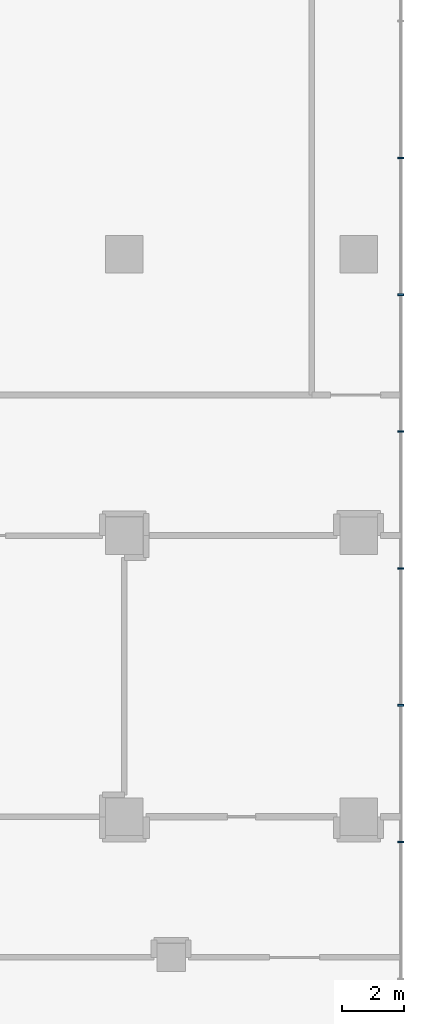
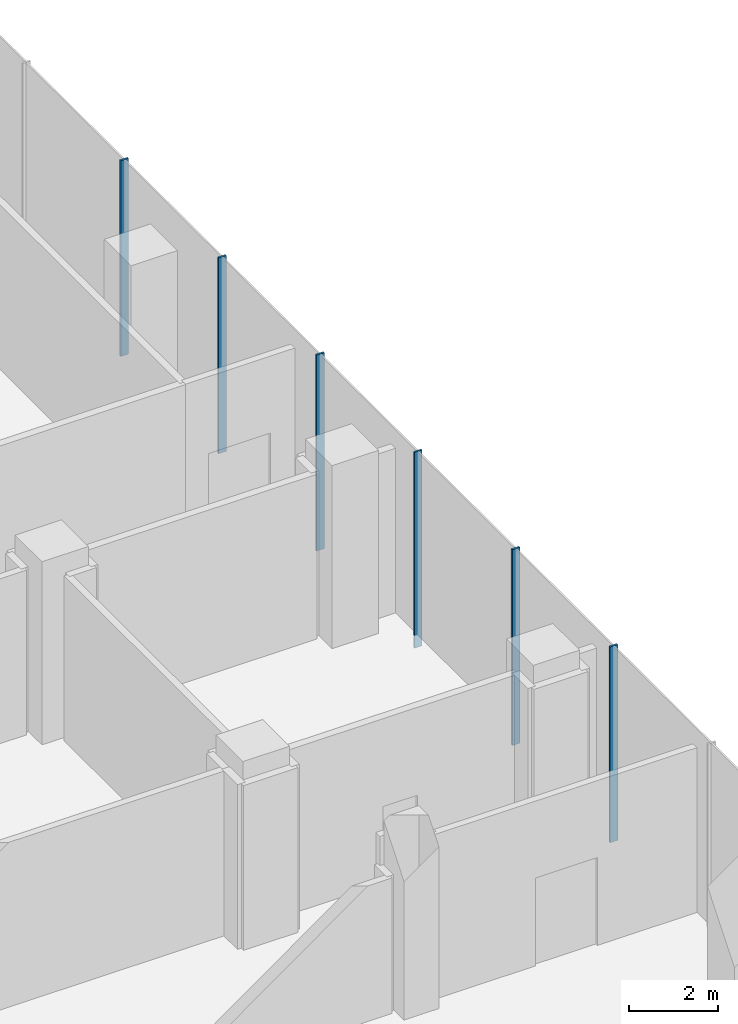
# One storey, part 15 of 36: 6 members, 1 element without a shape of its own.
"""IFC4 building model written with IfcOpenShell, lengths in metres."""

from ifc_helpers import new_model, si_unit, direction, frame, origin, origin_2d, place, context, subcontext, project, spatial, rectangle, extrude, material, layer, layer_set, material_profile, profile_set, type_object, element, aggregate, save


model = new_model("IFC4")

# Units and contexts
model_context = context("Model", 3, precision=1e-05, world=origin(), true_north=direction((0.0, 1.0)))
body_context = subcontext(model_context, "Body", "Model", "MODEL_VIEW")
ifc_project = project(units=[si_unit("LENGTHUNIT", "METRE"), si_unit("AREAUNIT", "SQUARE_METRE"), si_unit("VOLUMEUNIT", "CUBIC_METRE"), si_unit("PLANEANGLEUNIT", "RADIAN"), si_unit("MASSUNIT", "GRAM", prefix="KILO")], contexts=[model_context])

# Site, building, storey
site_placement = place(None, origin())
site = spatial("IfcSite", under=ifc_project, at=site_placement, CompositionType="ELEMENT")
building_placement = place(site_placement, origin())
building = spatial("IfcBuilding", under=site, at=building_placement, Name="Plateau Cross Towers", CompositionType="ELEMENT")
storey_placement = place(building_placement, frame((0.0, 0.0, 21.800048828125)))
storey = spatial("IfcBuildingStorey", under=building, at=storey_placement, Name="L04", CompositionType="ELEMENT", Elevation=21.800048828125)

# Curtain wall, members
ifc_material_1 = material(Name="Dark low-iron laminated glass", Category="glass")
ifc_layer = layer(ifc_material_1, 0.300048828125)
ifc_layer_set = layer_set([ifc_layer], Name="Dark low-iron laminated glass")
curtain_wall_type = type_object("IfcCurtainWallType", Name="Curtain wall structural silicone CW-C", PredefinedType="NOTDEFINED", material=ifc_layer_set)
curtain_wall_placement = place(storey_placement, origin())
curtain_wall = element("IfcCurtainWall", 1, at=curtain_wall_placement, inside=storey, type_object=curtain_wall_type, Name="ENV/P/L04/P1078_-88", PredefinedType="NOTDEFINED")
ifc_material_2 = material(Name="Black anodised aluminium", Category="aluminium")
ifc_material_profile = material_profile(ifc_material_2, rectangle(XDim=0.050048828125, YDim=0.199951171875, at=origin_2d()), Name="MULLION 50x200")
ifc_profile_set = profile_set([ifc_material_profile], Name="Black anodised aluminium")
member_type = type_object("IfcMemberType", Name="Mullion 50x200 structural silicone", PredefinedType="MULLION", material=ifc_profile_set)
member_1_placement = place(storey_placement, frame((107.85009765625, 26.18994140625, -0.35009765625), z_axis=(0.0, 0.0, 1.0), x_axis=(0.0, 1.0, 0.0)))
member_1 = element("IfcMember", 2, at=member_1_placement, type_object=member_type, Name="CW-C mullion 9", PredefinedType="MULLION", context=body_context, shape_type="SweptSolid", body=[
    extrude(rectangle(XDim=0.050048828125, YDim=0.199951171875, at=origin_2d()), origin(), (0.0, 0.0, 1.0), 5.35009765625),
])
member_2_placement = place(storey_placement, frame((107.85009765625, 30.570068359375, -0.35009765625), z_axis=(0.0, 0.0, 1.0), x_axis=(0.0, 1.0, 0.0)))
member_2 = element("IfcMember", 3, at=member_2_placement, type_object=member_type, Name="CW-C mullion 10", PredefinedType="MULLION", context=body_context, shape_type="SweptSolid", body=[
    extrude(rectangle(XDim=0.050048828125, YDim=0.199951171875, at=origin_2d()), origin(), (0.0, 0.0, 1.0), 5.35009765625),
])
member_3_placement = place(storey_placement, frame((107.85009765625, 34.949951171875, -0.35009765625), z_axis=(0.0, 0.0, 1.0), x_axis=(0.0, 1.0, 0.0)))
member_3 = element("IfcMember", 4, at=member_3_placement, type_object=member_type, Name="CW-C mullion 11", PredefinedType="MULLION", context=body_context, shape_type="SweptSolid", body=[
    extrude(rectangle(XDim=0.050048828125, YDim=0.199951171875, at=origin_2d()), origin(), (0.0, 0.0, 1.0), 5.35009765625),
])
member_4_placement = place(storey_placement, frame((107.85009765625, 39.330078125, -0.35009765625), z_axis=(0.0, 0.0, 1.0), x_axis=(0.0, 1.0, 0.0)))
member_4 = element("IfcMember", 5, at=member_4_placement, type_object=member_type, Name="CW-C mullion 12", PredefinedType="MULLION", context=body_context, shape_type="SweptSolid", body=[
    extrude(rectangle(XDim=0.050048828125, YDim=0.199951171875, at=origin_2d()), origin(), (0.0, 0.0, 1.0), 5.35009765625),
])
member_5_placement = place(storey_placement, frame((107.85009765625, 43.7099609375, -0.35009765625), z_axis=(0.0, 0.0, 1.0), x_axis=(0.0, 1.0, 0.0)))
member_5 = element("IfcMember", 6, at=member_5_placement, type_object=member_type, Name="CW-C mullion 13", PredefinedType="MULLION", context=body_context, shape_type="SweptSolid", body=[
    extrude(rectangle(XDim=0.050048828125, YDim=0.199951171875, at=origin_2d()), origin(), (0.0, 0.0, 1.0), 5.35009765625),
])
member_6_placement = place(storey_placement, frame((107.85009765625, 48.090087890625, -0.35009765625), z_axis=(0.0, 0.0, 1.0), x_axis=(0.0, 1.0, 0.0)))
member_6 = element("IfcMember", 7, at=member_6_placement, type_object=member_type, Name="CW-C mullion 14", PredefinedType="MULLION", context=body_context, shape_type="SweptSolid", body=[
    extrude(rectangle(XDim=0.050048828125, YDim=0.199951171875, at=origin_2d()), origin(), (0.0, 0.0, 1.0), 5.35009765625),
])
aggregate(curtain_wall, [member_1, member_2, member_3, member_4, member_5, member_6])

save(model, "model.ifc")
